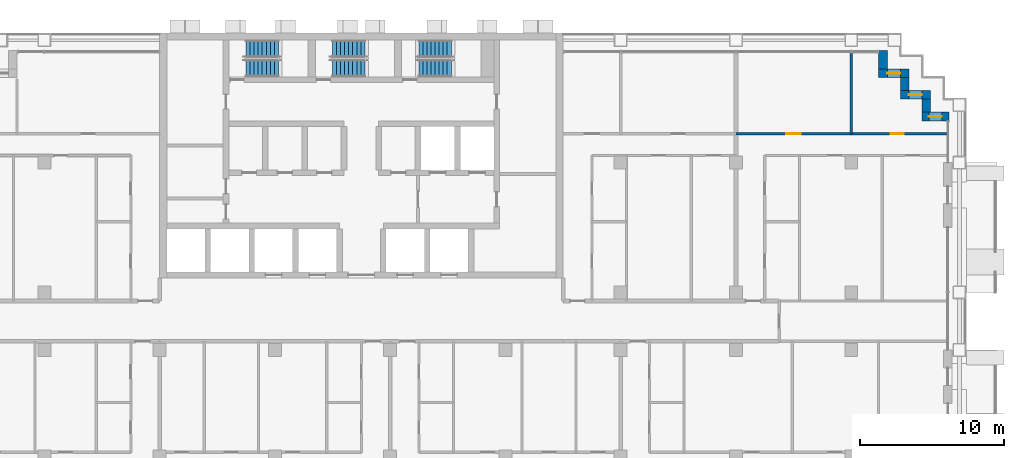
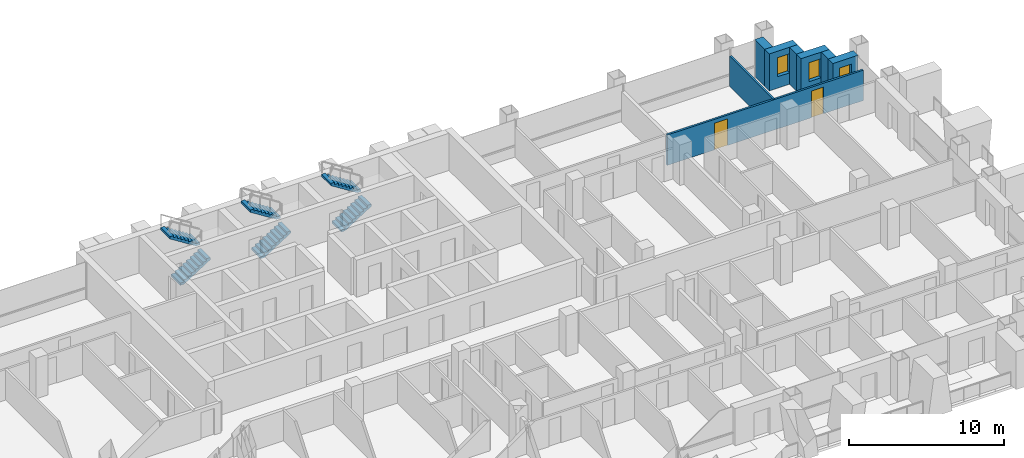
# One storey, part 14 of 18: 8 walls, 6 stair flights, 3 windows, 2 doors, 5 openings, 3 elements without a shape of their own.
"""IFC4 building model written with IfcOpenShell, lengths in metres."""

from ifc_helpers import new_model, si_unit, direction, frame, frame_2d, origin, place, context, subcontext, project, spatial, polyline, rectangle, outline, extrude, material, layer, layer_set, type_object, element, fill, aggregate, save


model = new_model("IFC4")

# Units and contexts
model_context = context("Model", 3, precision=1e-05, world=origin(), true_north=direction((0.0, 1.0)))
body_context = subcontext(model_context, "Body", "Model", "MODEL_VIEW")
ifc_project = project(units=[si_unit("LENGTHUNIT", "METRE"), si_unit("AREAUNIT", "SQUARE_METRE"), si_unit("VOLUMEUNIT", "CUBIC_METRE"), si_unit("PLANEANGLEUNIT", "RADIAN"), si_unit("MASSUNIT", "GRAM", prefix="KILO")], contexts=[model_context])

# Site, building, storey
site_placement = place(None, origin())
site = spatial("IfcSite", under=ifc_project, at=site_placement, CompositionType="ELEMENT")
building_placement = place(site_placement, origin())
building = spatial("IfcBuilding", under=site, at=building_placement, Name="Vidyagriha Tower", CompositionType="ELEMENT")
storey_placement = place(building_placement, frame((0.0, 0.0, 90.300048828125)))
storey = spatial("IfcBuildingStorey", under=building, at=storey_placement, Name="L23", CompositionType="ELEMENT", Elevation=90.300048828125)

# Wall, opening, window
ifc_material_1 = material(Name="Precast concrete C40/50 with brick facing", Category="concrete")
ifc_layer_1 = layer(ifc_material_1, 0.60009765625)
ifc_layer_set_1 = layer_set([ifc_layer_1], Name="Precast concrete C40/50 with brick facing")
wall_type_1 = type_object("IfcWallType", Name="Brick-faced precast wall 600", PredefinedType="STANDARD", material=ifc_layer_set_1)
wall_1_placement = place(storey_placement, frame((40.780029296875, 14.199951171875, 0.0), z_axis=(0.0, 0.0, 1.0), x_axis=(-1.0, 0.0, 0.0)))
wall_1 = element("IfcWall", 1, at=wall_1_placement, inside=storey, type_object=wall_type_1, Name="Stepped corner wall L23 R01", PredefinedType="STANDARD", context=body_context, shape_type="SweptSolid", body=[
    extrude(rectangle(XDim=1.880126953125, YDim=0.60009765625, at=frame_2d((0.93994140625, 0.0))), origin(), (0.0, 0.0, 1.0), 2.919921875),
])
opening_1_placement = place(wall_1_placement, frame((0.489990234375, 0.0, 0.89990234375)))
opening_1 = element("IfcOpeningElement", 2, at=opening_1_placement, cuts=wall_1, Name="Opening WN1", PredefinedType="OPENING", context=body_context, shape_type="SweptSolid", body=[
    extrude(rectangle(XDim=0.89990234375, YDim=1.5, at=frame_2d((0.449951171875, 0.75))), frame((0.0, 0.31005859375, 0.0), z_axis=(0.0, -1.0, 0.0), x_axis=(1.0, 0.0, 0.0)), (0.0, 0.0, 1.0), 0.6201171875),
])
ifc_material_2 = material(Name="Aluminium and glass window", Category="aluminium")
window_type = type_object("IfcWindowType", Name="Reveal window 900x1500", PartitioningType="NOTDEFINED", PredefinedType="WINDOW", material=ifc_material_2)
window_1_placement = place(opening_1_placement, origin())
window_1 = element("IfcWindow", 3, at=window_1_placement, inside=storey, type_object=window_type, Name="Reveal window L23 R01", OverallHeight=1.5, OverallWidth=0.89990234375, PartitioningType="SINGLE_PANEL", PredefinedType="WINDOW", context=body_context, shape_type="SweptSolid", body=[
    extrude(rectangle(XDim=0.89990234375, YDim=1.5, at=frame_2d((0.449951171875, 0.75))), frame((0.0, 0.030029296875, 0.0), z_axis=(0.0, -1.0, 0.0), x_axis=(1.0, 0.0, 0.0)), (0.0, 0.0, 1.0), 0.06005859375),
])
fill(opening_1, window_1)

# Wall
wall_2_placement = place(storey_placement, frame((39.199951171875, 14.5, 0.0), z_axis=(0.0, 0.0, 1.0), x_axis=(0.0, 1.0, 0.0)))
element("IfcWall", 4, at=wall_2_placement, inside=storey, type_object=wall_type_1, Name="Stepped corner wall L23 R02", PredefinedType="STANDARD", context=body_context, shape_type="SweptSolid", body=[
    extrude(rectangle(XDim=0.89990234375, YDim=0.60009765625, at=frame_2d((0.449951171875, 0.0))), origin(), (0.0, 0.0, 1.0), 2.919921875),
])

# Wall, opening, window
wall_3_placement = place(storey_placement, frame((39.5, 15.699951171875, 0.0), z_axis=(0.0, 0.0, 1.0), x_axis=(-1.0, 0.0, 0.0)))
wall_3 = element("IfcWall", 5, at=wall_3_placement, inside=storey, type_object=wall_type_1, Name="Stepped corner wall L23 R03", PredefinedType="STANDARD", context=body_context, shape_type="SweptSolid", body=[
    extrude(rectangle(XDim=2.10009765625, YDim=0.60009765625, at=frame_2d((1.050048828125, 0.0))), origin(), (0.0, 0.0, 1.0), 2.919921875),
])
opening_2_placement = place(wall_3_placement, frame((0.60009765625, 0.0, 0.89990234375)))
opening_2 = element("IfcOpeningElement", 6, at=opening_2_placement, cuts=wall_3, Name="Opening WN1", PredefinedType="OPENING", context=body_context, shape_type="SweptSolid", body=[
    extrude(rectangle(XDim=0.89990234375, YDim=1.5, at=frame_2d((0.449951171875, 0.75))), frame((0.0, 0.31005859375, 0.0), z_axis=(0.0, -1.0, 0.0), x_axis=(1.0, 0.0, 0.0)), (0.0, 0.0, 1.0), 0.6201171875),
])
window_2_placement = place(opening_2_placement, origin())
window_2 = element("IfcWindow", 7, at=window_2_placement, inside=storey, type_object=window_type, Name="Reveal window L23 R03", OverallHeight=1.5, OverallWidth=0.89990234375, PartitioningType="SINGLE_PANEL", PredefinedType="WINDOW", context=body_context, shape_type="SweptSolid", body=[
    extrude(rectangle(XDim=0.89990234375, YDim=1.5, at=frame_2d((0.449951171875, 0.75))), frame((0.0, 0.030029296875, 0.0), z_axis=(0.0, -1.0, 0.0), x_axis=(1.0, 0.0, 0.0)), (0.0, 0.0, 1.0), 0.06005859375),
])
fill(opening_2, window_2)

# Wall
wall_4_placement = place(storey_placement, frame((37.699951171875, 16.0, 0.0), z_axis=(0.0, 0.0, 1.0), x_axis=(0.0, 1.0, 0.0)))
element("IfcWall", 8, at=wall_4_placement, inside=storey, type_object=wall_type_1, Name="Stepped corner wall L23 R04", PredefinedType="STANDARD", context=body_context, shape_type="SweptSolid", body=[
    extrude(rectangle(XDim=0.89990234375, YDim=0.60009765625, at=frame_2d((0.449951171875, 0.0))), origin(), (0.0, 0.0, 1.0), 2.919921875),
])

# Wall, opening, window
wall_5_placement = place(storey_placement, frame((38.0, 17.199951171875, 0.0), z_axis=(0.0, 0.0, 1.0), x_axis=(-1.0, 0.0, 0.0)))
wall_5 = element("IfcWall", 9, at=wall_5_placement, inside=storey, type_object=wall_type_1, Name="Stepped corner wall L23 R05", PredefinedType="STANDARD", context=body_context, shape_type="SweptSolid", body=[
    extrude(rectangle(XDim=2.10009765625, YDim=0.60009765625, at=frame_2d((1.050048828125, 0.0))), origin(), (0.0, 0.0, 1.0), 2.919921875),
])
opening_3_placement = place(wall_5_placement, frame((0.60009765625, 0.0, 0.89990234375)))
opening_3 = element("IfcOpeningElement", 10, at=opening_3_placement, cuts=wall_5, Name="Opening WN1", PredefinedType="OPENING", context=body_context, shape_type="SweptSolid", body=[
    extrude(rectangle(XDim=0.89990234375, YDim=1.5, at=frame_2d((0.449951171875, 0.75))), frame((0.0, 0.31005859375, 0.0), z_axis=(0.0, -1.0, 0.0), x_axis=(1.0, 0.0, 0.0)), (0.0, 0.0, 1.0), 0.6201171875),
])
window_3_placement = place(opening_3_placement, origin())
window_3 = element("IfcWindow", 11, at=window_3_placement, inside=storey, type_object=window_type, Name="Reveal window L23 R05", OverallHeight=1.5, OverallWidth=0.89990234375, PartitioningType="SINGLE_PANEL", PredefinedType="WINDOW", context=body_context, shape_type="SweptSolid", body=[
    extrude(rectangle(XDim=0.89990234375, YDim=1.5, at=frame_2d((0.449951171875, 0.75))), frame((0.0, 0.030029296875, 0.0), z_axis=(0.0, -1.0, 0.0), x_axis=(1.0, 0.0, 0.0)), (0.0, 0.0, 1.0), 0.06005859375),
])
fill(opening_3, window_3)

# Wall
wall_6_placement = place(storey_placement, frame((36.199951171875, 17.5, 0.0), z_axis=(0.0, 0.0, 1.0), x_axis=(0.0, 1.0, 0.0)))
element("IfcWall", 12, at=wall_6_placement, inside=storey, type_object=wall_type_1, Name="Stepped corner wall L23 R06", PredefinedType="STANDARD", context=body_context, shape_type="SweptSolid", body=[
    extrude(rectangle(XDim=1.280029296875, YDim=0.60009765625, at=frame_2d((0.64013671875, 0.0))), origin(), (0.0, 0.0, 1.0), 2.919921875),
])

# Wall, openings, doors
ifc_material_3 = material(Name="Gypsum board partition")
ifc_layer_2 = layer(ifc_material_3, 0.14990234375)
ifc_layer_set_2 = layer_set([ifc_layer_2], Name="Gypsum board partition")
wall_type_2 = type_object("IfcWallType", Name="Gypsum board partition 150", PredefinedType="PARTITIONING", material=ifc_layer_set_2)
wall_7_placement = place(storey_placement, frame((26.0, 13.0, 0.0)))
wall_7 = element("IfcWall", 13, at=wall_7_placement, inside=storey, type_object=wall_type_2, Name="Wall all-L23-w121", PredefinedType="PARTITIONING", context=body_context, shape_type="SweptSolid", body=[
    extrude(rectangle(XDim=14.6201171875, YDim=0.14990234375, at=frame_2d((7.31005859375, 0.0))), origin(), (0.0, 0.0, 1.0), 2.39990234375),
])
opening_4_placement = place(wall_7_placement, frame((3.5, 0.0, 0.0)))
opening_4 = element("IfcOpeningElement", 14, at=opening_4_placement, cuts=wall_7, Name="Opening D23-71", PredefinedType="OPENING", context=body_context, shape_type="SweptSolid", body=[
    extrude(rectangle(XDim=1.0, YDim=2.10009765625, at=frame_2d((0.5, 1.050048828125))), frame((0.0, 0.0849609375, 0.0), z_axis=(0.0, -1.0, 0.0), x_axis=(1.0, 0.0, 0.0)), (0.0, 0.0, 1.0), 0.169921875),
])
opening_5_placement = place(wall_7_placement, frame((10.75, 0.0, 0.0)))
opening_5 = element("IfcOpeningElement", 15, at=opening_5_placement, cuts=wall_7, Name="Opening D23-72", PredefinedType="OPENING", context=body_context, shape_type="SweptSolid", body=[
    extrude(rectangle(XDim=0.89990234375, YDim=2.10009765625, at=frame_2d((0.449951171875, 1.050048828125))), frame((0.0, 0.0849609375, 0.0), z_axis=(0.0, -1.0, 0.0), x_axis=(1.0, 0.0, 0.0)), (0.0, 0.0, 1.0), 0.169921875),
])
ifc_material_4 = material(Name="Timber door leaf", Category="wood")
door_type_1 = type_object("IfcDoorType", Name="Room door 1000x2100", OperationType="NOTDEFINED", PredefinedType="DOOR", material=ifc_material_4)
door_1_placement = place(opening_4_placement, origin())
door_1 = element("IfcDoor", 16, at=door_1_placement, inside=storey, type_object=door_type_1, Name="Door D23-71", OperationType="SINGLE_SWING_RIGHT", OverallHeight=2.10009765625, OverallWidth=1.0, PredefinedType="DOOR", context=body_context, shape_type="SweptSolid", body=[
    extrude(rectangle(XDim=1.0, YDim=2.10009765625, at=frame_2d((0.5, 1.050048828125))), frame((0.0, 0.02490234375, 0.0), z_axis=(0.0, -1.0, 0.0), x_axis=(1.0, 0.0, 0.0)), (0.0, 0.0, 1.0), 0.050048828125),
])
fill(opening_4, door_1)
ifc_material_5 = material(Name="Timber door leaf", Category="wood")
door_type_2 = type_object("IfcDoorType", Name="Room door 900x2100", OperationType="NOTDEFINED", PredefinedType="DOOR", material=ifc_material_5)
door_2_placement = place(opening_5_placement, origin())
door_2 = element("IfcDoor", 17, at=door_2_placement, inside=storey, type_object=door_type_2, Name="Door D23-72", OperationType="SINGLE_SWING_RIGHT", OverallHeight=2.10009765625, OverallWidth=0.89990234375, PredefinedType="DOOR", context=body_context, shape_type="SweptSolid", body=[
    extrude(rectangle(XDim=0.89990234375, YDim=2.10009765625, at=frame_2d((0.449951171875, 1.050048828125))), frame((0.0, 0.02490234375, 0.0), z_axis=(0.0, -1.0, 0.0), x_axis=(1.0, 0.0, 0.0)), (0.0, 0.0, 1.0), 0.050048828125),
])
fill(opening_5, door_2)

# Wall
wall_8_placement = place(storey_placement, frame((34.0, 18.62109375, 0.0), z_axis=(0.0, 0.0, 1.0), x_axis=(0.0, -1.0, 0.0)))
element("IfcWall", 18, at=wall_8_placement, inside=storey, type_object=wall_type_2, Name="Wall all-L23-w124", PredefinedType="PARTITIONING", context=body_context, shape_type="SweptSolid", body=[
    extrude(rectangle(XDim=5.62109375, YDim=0.14990234375, at=frame_2d((2.810546875, 0.0))), origin(), (0.0, 0.0, 1.0), 2.39990234375),
])

# Stair, stair flights
ifc_material_6 = material(Name="Concrete C40/50", Category="concrete")
stair_type = type_object("IfcStairType", Name="Exit stair, half-turn, precast flights", PredefinedType="HALF_TURN_STAIR", material=ifc_material_6)
stair_1_placement = place(storey_placement, origin())
stair_1 = element("IfcStair", 19, at=stair_1_placement, inside=storey, type_object=stair_type, Name="L23 Exit Stair ST1", PredefinedType="HALF_TURN_STAIR")
ifc_material_7 = material(Name="Precast concrete C40/50", Category="concrete")
stair_flight_type = type_object("IfcStairFlightType", Name="Exit stair flight 1200 mm, precast", PredefinedType="STRAIGHT", material=ifc_material_7)
stair_flight_1_placement = place(storey_placement, frame((-8.0, 17.550048828125, 0.0)))
stair_flight_1 = element("IfcStairFlight", 20, at=stair_flight_1_placement, type_object=stair_flight_type, Name="ST1 flight 1", NumberOfRisers=9, NumberOfTreads=8, PredefinedType="STRAIGHT", RiserHeight=0.177777778, TreadLength=0.28, context=body_context, shape_type="SweptSolid", body=[
    extrude(outline(polyline([(0.0, 0.0), (0.0, 0.177734375), (0.280029296875, 0.177734375), (0.280029296875, 0.35546875), (0.56005859375, 0.35546875), (0.56005859375, 0.533447265625), (0.840087890625, 0.533447265625), (0.840087890625, 0.711181640625), (1.1201171875, 0.711181640625), (1.1201171875, 0.888916015625), (1.39990234375, 0.888916015625), (1.39990234375, 1.066650390625), (1.679931640625, 1.066650390625), (1.679931640625, 1.244384765625), (1.9599609375, 1.244384765625), (1.9599609375, 1.422119140625), (2.239990234375, 1.422119140625), (2.239990234375, 1.60009765625), (2.239990234375, 1.24462890625), (0.27978515625, 0.0), (0.0, 0.0)])), frame((0.0, 0.60009765625, 0.0), z_axis=(0.0, -1.0, 0.0), x_axis=(1.0, 0.0, 0.0)), (0.0, 0.0, 1.0), 1.199951171875),
])
stair_flight_2_placement = place(storey_placement, frame((-5.760009765625, 18.89990234375, 1.599853515625), z_axis=(0.0, 0.0, 1.0), x_axis=(-1.0, 0.0, 0.0)))
stair_flight_2 = element("IfcStairFlight", 21, at=stair_flight_2_placement, type_object=stair_flight_type, Name="ST1 flight 2", NumberOfRisers=9, NumberOfTreads=8, PredefinedType="STRAIGHT", RiserHeight=0.177777778, TreadLength=0.28, context=body_context, shape_type="SweptSolid", body=[
    extrude(outline(polyline([(0.0, 0.0), (0.0, 0.177734375), (0.280029296875, 0.177734375), (0.280029296875, 0.35546875), (0.56005859375, 0.35546875), (0.56005859375, 0.533447265625), (0.840087890625, 0.533447265625), (0.840087890625, 0.711181640625), (1.1201171875, 0.711181640625), (1.1201171875, 0.888916015625), (1.39990234375, 0.888916015625), (1.39990234375, 1.066650390625), (1.679931640625, 1.066650390625), (1.679931640625, 1.244384765625), (1.9599609375, 1.244384765625), (1.9599609375, 1.422119140625), (2.239990234375, 1.422119140625), (2.239990234375, 1.60009765625), (2.239990234375, 1.24462890625), (0.27978515625, 0.0), (0.0, 0.0)])), frame((0.0, 0.60009765625, 0.0), z_axis=(0.0, -1.0, 0.0), x_axis=(1.0, 0.0, 0.0)), (0.0, 0.0, 1.0), 1.199951171875),
])
aggregate(stair_1, [stair_flight_1, stair_flight_2])

stair_2_placement = place(storey_placement, origin())
stair_2 = element("IfcStair", 22, at=stair_2_placement, inside=storey, type_object=stair_type, Name="L23 Exit Stair ST2", PredefinedType="HALF_TURN_STAIR")
stair_flight_3_placement = place(storey_placement, frame((-2.0, 17.550048828125, 0.0)))
stair_flight_3 = element("IfcStairFlight", 23, at=stair_flight_3_placement, type_object=stair_flight_type, Name="ST2 flight 1", NumberOfRisers=9, NumberOfTreads=8, PredefinedType="STRAIGHT", RiserHeight=0.177777778, TreadLength=0.28, context=body_context, shape_type="SweptSolid", body=[
    extrude(outline(polyline([(0.0, 0.0), (0.0, 0.177734375), (0.280029296875, 0.177734375), (0.280029296875, 0.35546875), (0.56005859375, 0.35546875), (0.56005859375, 0.533447265625), (0.840087890625, 0.533447265625), (0.840087890625, 0.711181640625), (1.1201171875, 0.711181640625), (1.1201171875, 0.888916015625), (1.39990234375, 0.888916015625), (1.39990234375, 1.066650390625), (1.679931640625, 1.066650390625), (1.679931640625, 1.244384765625), (1.9599609375, 1.244384765625), (1.9599609375, 1.422119140625), (2.239990234375, 1.422119140625), (2.239990234375, 1.60009765625), (2.239990234375, 1.24462890625), (0.27978515625, 0.0), (0.0, 0.0)])), frame((0.0, 0.60009765625, 0.0), z_axis=(0.0, -1.0, 0.0), x_axis=(1.0, 0.0, 0.0)), (0.0, 0.0, 1.0), 1.199951171875),
])
stair_flight_4_placement = place(storey_placement, frame((0.239990234375, 18.89990234375, 1.599853515625), z_axis=(0.0, 0.0, 1.0), x_axis=(-1.0, 0.0, 0.0)))
stair_flight_4 = element("IfcStairFlight", 24, at=stair_flight_4_placement, type_object=stair_flight_type, Name="ST2 flight 2", NumberOfRisers=9, NumberOfTreads=8, PredefinedType="STRAIGHT", RiserHeight=0.177777778, TreadLength=0.28, context=body_context, shape_type="SweptSolid", body=[
    extrude(outline(polyline([(0.0, 0.0), (0.0, 0.177734375), (0.280029296875, 0.177734375), (0.280029296875, 0.35546875), (0.56005859375, 0.35546875), (0.56005859375, 0.533447265625), (0.840087890625, 0.533447265625), (0.840087890625, 0.711181640625), (1.1201171875, 0.711181640625), (1.1201171875, 0.888916015625), (1.39990234375, 0.888916015625), (1.39990234375, 1.066650390625), (1.679931640625, 1.066650390625), (1.679931640625, 1.244384765625), (1.9599609375, 1.244384765625), (1.9599609375, 1.422119140625), (2.239990234375, 1.422119140625), (2.239990234375, 1.60009765625), (2.239990234375, 1.24462890625), (0.27978515625, 0.0), (0.0, 0.0)])), frame((0.0, 0.60009765625, 0.0), z_axis=(0.0, -1.0, 0.0), x_axis=(1.0, 0.0, 0.0)), (0.0, 0.0, 1.0), 1.199951171875),
])
aggregate(stair_2, [stair_flight_3, stair_flight_4])

stair_3_placement = place(storey_placement, origin())
stair_3 = element("IfcStair", 25, at=stair_3_placement, inside=storey, type_object=stair_type, Name="L23 Exit Stair ST3", PredefinedType="HALF_TURN_STAIR")
stair_flight_5_placement = place(storey_placement, frame((4.0, 17.550048828125, 0.0)))
stair_flight_5 = element("IfcStairFlight", 26, at=stair_flight_5_placement, type_object=stair_flight_type, Name="ST3 flight 1", NumberOfRisers=9, NumberOfTreads=8, PredefinedType="STRAIGHT", RiserHeight=0.177777778, TreadLength=0.28, context=body_context, shape_type="SweptSolid", body=[
    extrude(outline(polyline([(0.0, 0.0), (0.0, 0.177734375), (0.280029296875, 0.177734375), (0.280029296875, 0.35546875), (0.56005859375, 0.35546875), (0.56005859375, 0.533447265625), (0.840087890625, 0.533447265625), (0.840087890625, 0.711181640625), (1.1201171875, 0.711181640625), (1.1201171875, 0.888916015625), (1.39990234375, 0.888916015625), (1.39990234375, 1.066650390625), (1.679931640625, 1.066650390625), (1.679931640625, 1.244384765625), (1.9599609375, 1.244384765625), (1.9599609375, 1.422119140625), (2.239990234375, 1.422119140625), (2.239990234375, 1.60009765625), (2.239990234375, 1.24462890625), (0.27978515625, 0.0), (0.0, 0.0)])), frame((0.0, 0.60009765625, 0.0), z_axis=(0.0, -1.0, 0.0), x_axis=(1.0, 0.0, 0.0)), (0.0, 0.0, 1.0), 1.199951171875),
])
stair_flight_6_placement = place(storey_placement, frame((6.239990234375, 18.89990234375, 1.599853515625), z_axis=(0.0, 0.0, 1.0), x_axis=(-1.0, 0.0, 0.0)))
stair_flight_6 = element("IfcStairFlight", 27, at=stair_flight_6_placement, type_object=stair_flight_type, Name="ST3 flight 2", NumberOfRisers=9, NumberOfTreads=8, PredefinedType="STRAIGHT", RiserHeight=0.177777778, TreadLength=0.28, context=body_context, shape_type="SweptSolid", body=[
    extrude(outline(polyline([(0.0, 0.0), (0.0, 0.177734375), (0.280029296875, 0.177734375), (0.280029296875, 0.35546875), (0.56005859375, 0.35546875), (0.56005859375, 0.533447265625), (0.840087890625, 0.533447265625), (0.840087890625, 0.711181640625), (1.1201171875, 0.711181640625), (1.1201171875, 0.888916015625), (1.39990234375, 0.888916015625), (1.39990234375, 1.066650390625), (1.679931640625, 1.066650390625), (1.679931640625, 1.244384765625), (1.9599609375, 1.244384765625), (1.9599609375, 1.422119140625), (2.239990234375, 1.422119140625), (2.239990234375, 1.60009765625), (2.239990234375, 1.24462890625), (0.27978515625, 0.0), (0.0, 0.0)])), frame((0.0, 0.60009765625, 0.0), z_axis=(0.0, -1.0, 0.0), x_axis=(1.0, 0.0, 0.0)), (0.0, 0.0, 1.0), 1.199951171875),
])
aggregate(stair_3, [stair_flight_5, stair_flight_6])

save(model, "model.ifc")
